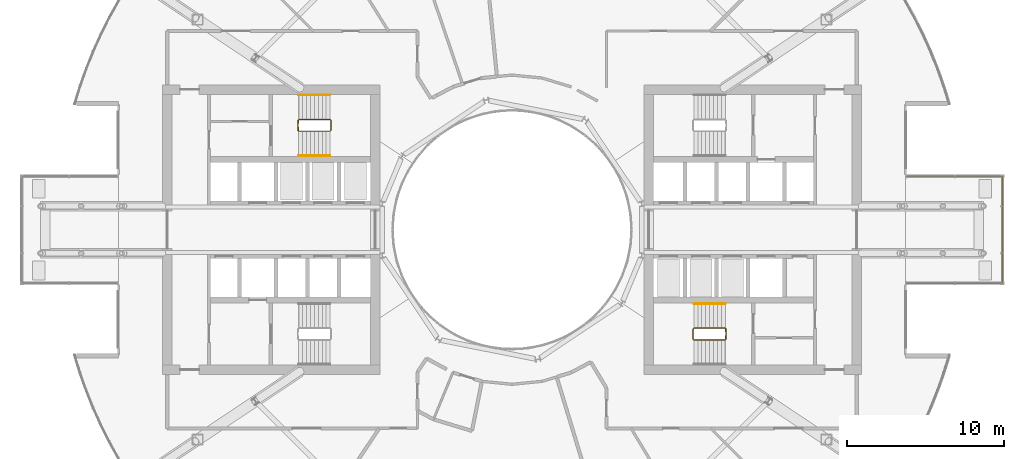
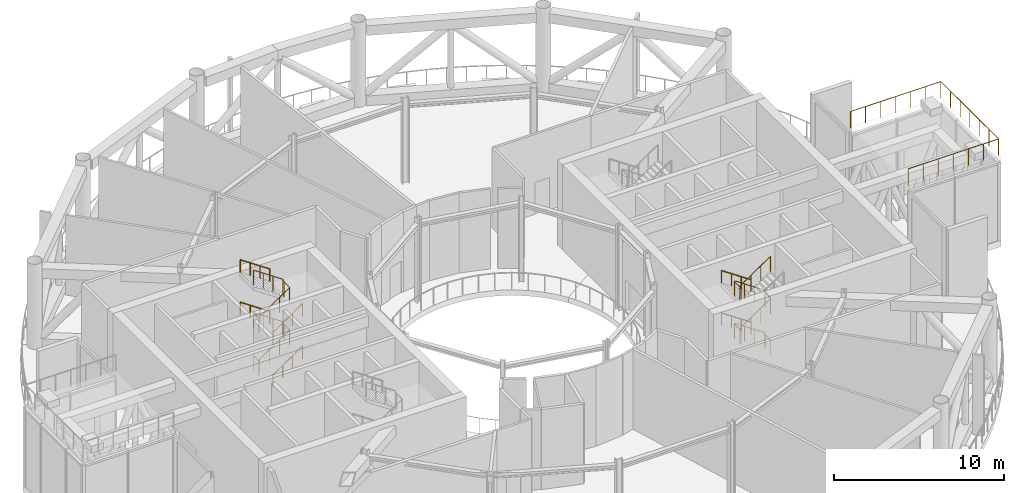
# One storey, part 22 of 25: 9 railings.
"""IFC4 building model written with IfcOpenShell, lengths in metres."""

from ifc_helpers import new_model, si_unit, direction, frame, origin, origin_2d, place, context, subcontext, project, spatial, circle, extrude, material, type_object, element, save


model = new_model("IFC4")

# Units and contexts
model_context = context("Model", 3, precision=1e-05, world=origin(), true_north=direction((0.0, 1.0)))
body_context = subcontext(model_context, "Body", "Model", "MODEL_VIEW")
ifc_project = project(units=[si_unit("LENGTHUNIT", "METRE"), si_unit("AREAUNIT", "SQUARE_METRE"), si_unit("VOLUMEUNIT", "CUBIC_METRE"), si_unit("PLANEANGLEUNIT", "RADIAN"), si_unit("MASSUNIT", "GRAM", prefix="KILO")], contexts=[model_context])

# Site, building, storey
site_placement = place(None, origin())
site = spatial("IfcSite", under=ifc_project, at=site_placement, CompositionType="ELEMENT")
building_placement = place(site_placement, origin())
building = spatial("IfcBuilding", under=site, at=building_placement, Name="Maasbend Ring Residences", CompositionType="ELEMENT")
storey_placement = place(building_placement, frame((0.0, 0.0, 139.10009765625)))
storey = spatial("IfcBuildingStorey", under=building, at=storey_placement, Name="L40", CompositionType="ELEMENT", Elevation=139.10009765625)

# Railings
ifc_material_1 = material(Name="Stainless steel 316 and glass", Category="steel")
railing_type_1 = type_object("IfcRailingType", Name="RL-GUARD", PredefinedType="GUARDRAIL", material=ifc_material_1)
railing_1_placement = place(storey_placement, frame((25.0, -3.39990234375, 6.099853515625)))
element("IfcRailing", 1, at=railing_1_placement, inside=storey, type_object=railing_type_1, Name="Roof terrace guard", PredefinedType="GUARDRAIL", context=body_context, shape_type="SweptSolid", body=[
    extrude(circle(Radius=0.02490234375, at=origin_2d()), frame((0.0, 0.0, 1.1748046875), z_axis=(1.0, 0.0, 0.0), x_axis=(0.0, 1.0, 0.0)), (0.0, 0.0, 1.0), 6.14990234375),
    extrude(circle(Radius=0.02490234375, at=origin_2d()), frame((6.14990234375, 0.0, 1.1748046875), z_axis=(0.0, 1.0, 0.0), x_axis=(-1.0, 0.0, 0.0)), (0.0, 0.0, 1.0), 6.7998046875),
    extrude(circle(Radius=0.02490234375, at=origin_2d()), frame((6.14990234375, 6.7998046875, 1.1748046875), z_axis=(-1.0, 0.0, 0.0), x_axis=(0.0, -1.0, 0.0)), (0.0, 0.0, 1.0), 6.14990234375),
    extrude(circle(Radius=0.02001953125, at=origin_2d()), origin(), (0.0, 0.0, 1.0), 1.14990234375),
    extrude(circle(Radius=0.02001953125, at=origin_2d()), frame((1.02490234375, 0.0, 0.0)), (0.0, 0.0, 1.0), 1.14990234375),
    extrude(circle(Radius=0.02001953125, at=origin_2d()), frame((2.050048828125, 0.0, 0.0)), (0.0, 0.0, 1.0), 1.14990234375),
    extrude(circle(Radius=0.02001953125, at=origin_2d()), frame((3.074951171875, 0.0, 0.0)), (0.0, 0.0, 1.0), 1.14990234375),
    extrude(circle(Radius=0.02001953125, at=origin_2d()), frame((4.099853515625, 0.0, 0.0)), (0.0, 0.0, 1.0), 1.14990234375),
    extrude(circle(Radius=0.02001953125, at=origin_2d()), frame((5.125, 0.0, 0.0)), (0.0, 0.0, 1.0), 1.14990234375),
    extrude(circle(Radius=0.02001953125, at=origin_2d()), frame((6.14990234375, 0.0, 0.0)), (0.0, 0.0, 1.0), 1.14990234375),
    extrude(circle(Radius=0.02001953125, at=origin_2d()), frame((6.14990234375, 1.13330078125, 0.0)), (0.0, 0.0, 1.0), 1.14990234375),
    extrude(circle(Radius=0.02001953125, at=origin_2d()), frame((6.14990234375, 2.2666015625, 0.0)), (0.0, 0.0, 1.0), 1.14990234375),
    extrude(circle(Radius=0.02001953125, at=origin_2d()), frame((6.14990234375, 3.39990234375, 0.0)), (0.0, 0.0, 1.0), 1.14990234375),
    extrude(circle(Radius=0.02001953125, at=origin_2d()), frame((6.14990234375, 4.533203125, 0.0)), (0.0, 0.0, 1.0), 1.14990234375),
    extrude(circle(Radius=0.02001953125, at=origin_2d()), frame((6.14990234375, 5.66650390625, 0.0)), (0.0, 0.0, 1.0), 1.14990234375),
    extrude(circle(Radius=0.02001953125, at=origin_2d()), frame((6.14990234375, 6.7998046875, 0.0)), (0.0, 0.0, 1.0), 1.14990234375),
    extrude(circle(Radius=0.02001953125, at=origin_2d()), frame((5.125, 6.7998046875, 0.0)), (0.0, 0.0, 1.0), 1.14990234375),
    extrude(circle(Radius=0.02001953125, at=origin_2d()), frame((4.099853515625, 6.7998046875, 0.0)), (0.0, 0.0, 1.0), 1.14990234375),
    extrude(circle(Radius=0.02001953125, at=origin_2d()), frame((3.074951171875, 6.7998046875, 0.0)), (0.0, 0.0, 1.0), 1.14990234375),
    extrude(circle(Radius=0.02001953125, at=origin_2d()), frame((2.050048828125, 6.7998046875, 0.0)), (0.0, 0.0, 1.0), 1.14990234375),
    extrude(circle(Radius=0.02001953125, at=origin_2d()), frame((1.02490234375, 6.7998046875, 0.0)), (0.0, 0.0, 1.0), 1.14990234375),
    extrude(circle(Radius=0.02001953125, at=origin_2d()), frame((0.0, 6.7998046875, 0.0)), (0.0, 0.0, 1.0), 1.14990234375),
])
ifc_material_2 = material(Name="Stainless steel 316", Category="steel")
railing_type_2 = type_object("IfcRailingType", Name="STAIR GUARD 1100", PredefinedType="GUARDRAIL", material=ifc_material_2)
railing_2_placement = place(storey_placement, frame((13.60009765625, -6.949951171875, 0.0)))
element("IfcRailing", 2, at=railing_2_placement, inside=storey, type_object=railing_type_2, Name="L40 ST-E2 stair guard 1", PredefinedType="GUARDRAIL", context=body_context, shape_type="SweptSolid", body=[
    extrude(circle(Radius=0.02392578125, at=origin_2d()), frame((0.0, 0.0, 1.076171875), z_axis=(0.0, 1.0, 0.0), x_axis=(-1.0, 0.0, 0.0)), (0.0, 0.0, 1.0), 0.64990234375),
    extrude(circle(Radius=0.02392578125, at=origin_2d()), frame((0.0, 0.64990234375, 1.076171875), z_axis=(-0.272562526181, 0.272562526181, 0.92272386912), x_axis=(-0.707106781187, -0.707106781187, 0.0)), (0.0, 0.0, 1.0), 0.18359375),
    extrude(circle(Radius=0.02392578125, at=origin_2d()), frame((-0.050048828125, 0.699951171875, 1.24560546875), z_axis=(-0.827797584762, 0.0, 0.561026878735), x_axis=(0.0, -1.0, 0.0)), (0.0, 0.0, 1.0), 2.416015625),
    extrude(circle(Radius=0.02392578125, at=origin_2d()), frame((-2.050048828125, 0.699951171875, 2.60107421875), z_axis=(-0.707106781187, -0.707106781187, 0.0), x_axis=(0.707106781187, -0.707106781187, 0.0)), (0.0, 0.0, 1.0), 0.07080078125),
    extrude(circle(Radius=0.02392578125, at=origin_2d()), frame((-2.10009765625, 0.64990234375, 2.60107421875), z_axis=(0.0, -1.0, 0.0), x_axis=(1.0, 0.0, 0.0)), (0.0, 0.0, 1.0), 0.64990234375),
    extrude(circle(Radius=0.02392578125, at=origin_2d()), frame((-2.10009765625, 0.0, 2.60107421875), z_axis=(0.272562526181, -0.272562526181, 0.92272386912), x_axis=(0.707106781187, 0.707106781187, 0.0)), (0.0, 0.0, 1.0), 0.18359375),
    extrude(circle(Radius=0.02392578125, at=origin_2d()), frame((-2.050048828125, -0.050048828125, 2.7705078125), z_axis=(0.827797584762, 0.0, 0.561026878735), x_axis=(0.0, 1.0, 0.0)), (0.0, 0.0, 1.0), 2.416015625),
    extrude(circle(Radius=0.02392578125, at=origin_2d()), frame((-0.050048828125, -0.050048828125, 4.1259765625), z_axis=(0.071321223157, 0.997453398975, 0.0), x_axis=(-0.997453398975, 0.071321223157, 0.0)), (0.0, 0.0, 1.0), 0.70166015625),
    extrude(circle(Radius=0.02392578125, at=origin_2d()), frame((0.0, 0.64990234375, 4.1259765625), z_axis=(0.0, -1.0, 0.0), x_axis=(1.0, 0.0, 0.0)), (0.0, 0.0, 1.0), 0.64990234375),
    extrude(circle(Radius=0.02392578125, at=origin_2d()), frame((0.0, 0.0, 4.1259765625), z_axis=(-0.069328998915, 0.969591414091, 0.234704025594), x_axis=(-0.997453398975, -0.071321223157, 0.0)), (0.0, 0.0, 1.0), 0.721923828125),
    extrude(circle(Radius=0.02392578125, at=origin_2d()), frame((-0.050048828125, 0.699951171875, 4.29541015625), z_axis=(-0.827750655447, 0.0, 0.561096116906), x_axis=(0.0, -1.0, 0.0)), (0.0, 0.0, 1.0), 2.416259765625),
    extrude(circle(Radius=0.02392578125, at=origin_2d()), frame((-2.050048828125, 0.699951171875, 5.65087890625), z_axis=(-0.707106781187, -0.707106781187, 0.0), x_axis=(0.707106781187, -0.707106781187, 0.0)), (0.0, 0.0, 1.0), 0.07080078125),
    extrude(circle(Radius=0.02392578125, at=origin_2d()), frame((-2.10009765625, 0.64990234375, 5.65087890625), z_axis=(0.0, -1.0, 0.0), x_axis=(1.0, 0.0, 0.0)), (0.0, 0.0, 1.0), 0.64990234375),
    extrude(circle(Radius=0.02392578125, at=origin_2d()), frame((-2.10009765625, 0.0, 5.65087890625), z_axis=(0.272562526181, -0.272562526181, 0.92272386912), x_axis=(0.707106781187, 0.707106781187, 0.0)), (0.0, 0.0, 1.0), 0.18359375),
    extrude(circle(Radius=0.02392578125, at=origin_2d()), frame((-2.050048828125, -0.050048828125, 5.8203125), z_axis=(0.827797584762, 0.0, 0.561026878735), x_axis=(0.0, 1.0, 0.0)), (0.0, 0.0, 1.0), 2.416015625),
    extrude(circle(Radius=0.02099609375, at=origin_2d()), origin(), (0.0, 0.0, 1.0), 1.052001953125),
    extrude(circle(Radius=0.02099609375, at=origin_2d()), frame((0.0, 0.64990234375, 0.0)), (0.0, 0.0, 1.0), 1.052001953125),
    extrude(circle(Radius=0.02099609375, at=origin_2d()), frame((-0.050048828125, 0.699951171875, 0.16943359375)), (0.0, 0.0, 1.0), 1.052001953125),
    extrude(circle(Radius=0.02099609375, at=origin_2d()), frame((-0.716796875, 0.699951171875, 0.621337890625)), (0.0, 0.0, 1.0), 1.052001953125),
    extrude(circle(Radius=0.02099609375, at=origin_2d()), frame((-1.38330078125, 0.699951171875, 1.072998046875)), (0.0, 0.0, 1.0), 1.052001953125),
    extrude(circle(Radius=0.02099609375, at=origin_2d()), frame((-2.050048828125, 0.699951171875, 1.52490234375)), (0.0, 0.0, 1.0), 1.052001953125),
    extrude(circle(Radius=0.02099609375, at=origin_2d()), frame((-2.10009765625, 0.64990234375, 1.52490234375)), (0.0, 0.0, 1.0), 1.052001953125),
    extrude(circle(Radius=0.02099609375, at=origin_2d()), frame((-2.10009765625, 0.0, 1.52490234375)), (0.0, 0.0, 1.0), 1.052001953125),
    extrude(circle(Radius=0.02099609375, at=origin_2d()), frame((-2.050048828125, -0.050048828125, 1.6943359375)), (0.0, 0.0, 1.0), 1.052001953125),
    extrude(circle(Radius=0.02099609375, at=origin_2d()), frame((-1.38330078125, -0.050048828125, 2.146240234375)), (0.0, 0.0, 1.0), 1.052001953125),
    extrude(circle(Radius=0.02099609375, at=origin_2d()), frame((-0.716796875, -0.050048828125, 2.597900390625)), (0.0, 0.0, 1.0), 1.052001953125),
    extrude(circle(Radius=0.02099609375, at=origin_2d()), frame((-0.050048828125, -0.050048828125, 3.0498046875)), (0.0, 0.0, 1.0), 1.052001953125),
    extrude(circle(Radius=0.02099609375, at=origin_2d()), frame((0.0, 0.64990234375, 3.0498046875)), (0.0, 0.0, 1.0), 1.052001953125),
    extrude(circle(Radius=0.02099609375, at=origin_2d()), frame((0.0, 0.0, 3.0498046875)), (0.0, 0.0, 1.0), 1.052001953125),
    extrude(circle(Radius=0.02099609375, at=origin_2d()), frame((-0.050048828125, 0.699951171875, 3.21923828125)), (0.0, 0.0, 1.0), 1.052001953125),
    extrude(circle(Radius=0.02099609375, at=origin_2d()), frame((-0.716796875, 0.699951171875, 3.671142578125)), (0.0, 0.0, 1.0), 1.052001953125),
    extrude(circle(Radius=0.02099609375, at=origin_2d()), frame((-1.38330078125, 0.699951171875, 4.123046875)), (0.0, 0.0, 1.0), 1.052001953125),
    extrude(circle(Radius=0.02099609375, at=origin_2d()), frame((-2.050048828125, 0.699951171875, 4.574951171875)), (0.0, 0.0, 1.0), 1.052001953125),
    extrude(circle(Radius=0.02099609375, at=origin_2d()), frame((-2.10009765625, 0.64990234375, 4.574951171875)), (0.0, 0.0, 1.0), 1.052001953125),
    extrude(circle(Radius=0.02099609375, at=origin_2d()), frame((-2.10009765625, 0.0, 4.574951171875)), (0.0, 0.0, 1.0), 1.052001953125),
    extrude(circle(Radius=0.02099609375, at=origin_2d()), frame((-2.050048828125, -0.050048828125, 4.744384765625)), (0.0, 0.0, 1.0), 1.052001953125),
    extrude(circle(Radius=0.02099609375, at=origin_2d()), frame((-1.38330078125, -0.050048828125, 5.1962890625)), (0.0, 0.0, 1.0), 1.052001953125),
    extrude(circle(Radius=0.02099609375, at=origin_2d()), frame((-0.716796875, -0.050048828125, 5.64794921875)), (0.0, 0.0, 1.0), 1.052001953125),
    extrude(circle(Radius=0.02099609375, at=origin_2d()), frame((-0.050048828125, -0.050048828125, 6.099853515625)), (0.0, 0.0, 1.0), 1.052001953125),
])
railing_3_placement = place(storey_placement, frame((-13.60009765625, 6.949951171875, 0.0)))
element("IfcRailing", 3, at=railing_3_placement, inside=storey, type_object=railing_type_2, Name="L40 ST-W2 stair guard 1", PredefinedType="GUARDRAIL", context=body_context, shape_type="SweptSolid", body=[
    extrude(circle(Radius=0.02392578125, at=origin_2d()), frame((0.0, 0.0, 1.076171875), z_axis=(0.0, -1.0, 0.0), x_axis=(1.0, 0.0, 0.0)), (0.0, 0.0, 1.0), 0.64990234375),
    extrude(circle(Radius=0.02392578125, at=origin_2d()), frame((0.0, -0.64990234375, 1.076171875), z_axis=(0.272562526181, -0.272562526181, 0.92272386912), x_axis=(0.707106781187, 0.707106781187, 0.0)), (0.0, 0.0, 1.0), 0.18359375),
    extrude(circle(Radius=0.02392578125, at=origin_2d()), frame((0.050048828125, -0.699951171875, 1.24560546875), z_axis=(0.827797584762, 0.0, 0.561026878735), x_axis=(0.0, 1.0, 0.0)), (0.0, 0.0, 1.0), 2.416015625),
    extrude(circle(Radius=0.02392578125, at=origin_2d()), frame((2.050048828125, -0.699951171875, 2.60107421875), z_axis=(0.707106781187, 0.707106781187, 0.0), x_axis=(-0.707106781187, 0.707106781187, 0.0)), (0.0, 0.0, 1.0), 0.07080078125),
    extrude(circle(Radius=0.02392578125, at=origin_2d()), frame((2.10009765625, -0.64990234375, 2.60107421875), z_axis=(0.0, 1.0, 0.0), x_axis=(-1.0, 0.0, 0.0)), (0.0, 0.0, 1.0), 0.64990234375),
    extrude(circle(Radius=0.02392578125, at=origin_2d()), frame((2.10009765625, 0.0, 2.60107421875), z_axis=(-0.272562526181, 0.272562526181, 0.92272386912), x_axis=(-0.707106781187, -0.707106781187, 0.0)), (0.0, 0.0, 1.0), 0.18359375),
    extrude(circle(Radius=0.02392578125, at=origin_2d()), frame((2.050048828125, 0.050048828125, 2.7705078125), z_axis=(-0.827797584762, 0.0, 0.561026878735), x_axis=(0.0, -1.0, 0.0)), (0.0, 0.0, 1.0), 2.416015625),
    extrude(circle(Radius=0.02392578125, at=origin_2d()), frame((0.050048828125, 0.050048828125, 4.1259765625), z_axis=(-0.071321223157, -0.997453398975, 0.0), x_axis=(0.997453398975, -0.071321223157, 0.0)), (0.0, 0.0, 1.0), 0.70166015625),
    extrude(circle(Radius=0.02392578125, at=origin_2d()), frame((0.0, -0.64990234375, 4.1259765625), z_axis=(0.0, 1.0, 0.0), x_axis=(-1.0, 0.0, 0.0)), (0.0, 0.0, 1.0), 0.64990234375),
    extrude(circle(Radius=0.02392578125, at=origin_2d()), frame((0.0, 0.0, 4.1259765625), z_axis=(0.069328998915, -0.969591414091, 0.234704025594), x_axis=(0.997453398975, 0.071321223157, 0.0)), (0.0, 0.0, 1.0), 0.721923828125),
    extrude(circle(Radius=0.02392578125, at=origin_2d()), frame((0.050048828125, -0.699951171875, 4.29541015625), z_axis=(0.827750655447, 0.0, 0.561096116906), x_axis=(0.0, 1.0, 0.0)), (0.0, 0.0, 1.0), 2.416259765625),
    extrude(circle(Radius=0.02392578125, at=origin_2d()), frame((2.050048828125, -0.699951171875, 5.65087890625), z_axis=(0.707106781187, 0.707106781187, 0.0), x_axis=(-0.707106781187, 0.707106781187, 0.0)), (0.0, 0.0, 1.0), 0.07080078125),
    extrude(circle(Radius=0.02392578125, at=origin_2d()), frame((2.10009765625, -0.64990234375, 5.65087890625), z_axis=(0.0, 1.0, 0.0), x_axis=(-1.0, 0.0, 0.0)), (0.0, 0.0, 1.0), 0.64990234375),
    extrude(circle(Radius=0.02392578125, at=origin_2d()), frame((2.10009765625, 0.0, 5.65087890625), z_axis=(-0.272562526181, 0.272562526181, 0.92272386912), x_axis=(-0.707106781187, -0.707106781187, 0.0)), (0.0, 0.0, 1.0), 0.18359375),
    extrude(circle(Radius=0.02392578125, at=origin_2d()), frame((2.050048828125, 0.050048828125, 5.8203125), z_axis=(-0.827797584762, 0.0, 0.561026878735), x_axis=(0.0, -1.0, 0.0)), (0.0, 0.0, 1.0), 2.416015625),
    extrude(circle(Radius=0.02099609375, at=origin_2d()), origin(), (0.0, 0.0, 1.0), 1.052001953125),
    extrude(circle(Radius=0.02099609375, at=origin_2d()), frame((0.0, -0.64990234375, 0.0)), (0.0, 0.0, 1.0), 1.052001953125),
    extrude(circle(Radius=0.02099609375, at=origin_2d()), frame((0.050048828125, -0.699951171875, 0.16943359375)), (0.0, 0.0, 1.0), 1.052001953125),
    extrude(circle(Radius=0.02099609375, at=origin_2d()), frame((0.716796875, -0.699951171875, 0.621337890625)), (0.0, 0.0, 1.0), 1.052001953125),
    extrude(circle(Radius=0.02099609375, at=origin_2d()), frame((1.38330078125, -0.699951171875, 1.072998046875)), (0.0, 0.0, 1.0), 1.052001953125),
    extrude(circle(Radius=0.02099609375, at=origin_2d()), frame((2.050048828125, -0.699951171875, 1.52490234375)), (0.0, 0.0, 1.0), 1.052001953125),
    extrude(circle(Radius=0.02099609375, at=origin_2d()), frame((2.10009765625, -0.64990234375, 1.52490234375)), (0.0, 0.0, 1.0), 1.052001953125),
    extrude(circle(Radius=0.02099609375, at=origin_2d()), frame((2.10009765625, 0.0, 1.52490234375)), (0.0, 0.0, 1.0), 1.052001953125),
    extrude(circle(Radius=0.02099609375, at=origin_2d()), frame((2.050048828125, 0.050048828125, 1.6943359375)), (0.0, 0.0, 1.0), 1.052001953125),
    extrude(circle(Radius=0.02099609375, at=origin_2d()), frame((1.38330078125, 0.050048828125, 2.146240234375)), (0.0, 0.0, 1.0), 1.052001953125),
    extrude(circle(Radius=0.02099609375, at=origin_2d()), frame((0.716796875, 0.050048828125, 2.597900390625)), (0.0, 0.0, 1.0), 1.052001953125),
    extrude(circle(Radius=0.02099609375, at=origin_2d()), frame((0.050048828125, 0.050048828125, 3.0498046875)), (0.0, 0.0, 1.0), 1.052001953125),
    extrude(circle(Radius=0.02099609375, at=origin_2d()), frame((0.0, -0.64990234375, 3.0498046875)), (0.0, 0.0, 1.0), 1.052001953125),
    extrude(circle(Radius=0.02099609375, at=origin_2d()), frame((0.0, 0.0, 3.0498046875)), (0.0, 0.0, 1.0), 1.052001953125),
    extrude(circle(Radius=0.02099609375, at=origin_2d()), frame((0.050048828125, -0.699951171875, 3.21923828125)), (0.0, 0.0, 1.0), 1.052001953125),
    extrude(circle(Radius=0.02099609375, at=origin_2d()), frame((0.716796875, -0.699951171875, 3.671142578125)), (0.0, 0.0, 1.0), 1.052001953125),
    extrude(circle(Radius=0.02099609375, at=origin_2d()), frame((1.38330078125, -0.699951171875, 4.123046875)), (0.0, 0.0, 1.0), 1.052001953125),
    extrude(circle(Radius=0.02099609375, at=origin_2d()), frame((2.050048828125, -0.699951171875, 4.574951171875)), (0.0, 0.0, 1.0), 1.052001953125),
    extrude(circle(Radius=0.02099609375, at=origin_2d()), frame((2.10009765625, -0.64990234375, 4.574951171875)), (0.0, 0.0, 1.0), 1.052001953125),
    extrude(circle(Radius=0.02099609375, at=origin_2d()), frame((2.10009765625, 0.0, 4.574951171875)), (0.0, 0.0, 1.0), 1.052001953125),
    extrude(circle(Radius=0.02099609375, at=origin_2d()), frame((2.050048828125, 0.050048828125, 4.744384765625)), (0.0, 0.0, 1.0), 1.052001953125),
    extrude(circle(Radius=0.02099609375, at=origin_2d()), frame((1.38330078125, 0.050048828125, 5.1962890625)), (0.0, 0.0, 1.0), 1.052001953125),
    extrude(circle(Radius=0.02099609375, at=origin_2d()), frame((0.716796875, 0.050048828125, 5.64794921875)), (0.0, 0.0, 1.0), 1.052001953125),
    extrude(circle(Radius=0.02099609375, at=origin_2d()), frame((0.050048828125, 0.050048828125, 6.099853515625)), (0.0, 0.0, 1.0), 1.052001953125),
])
ifc_material_3 = material(Name="Stainless steel 316", Category="steel")
railing_type_3 = type_object("IfcRailingType", Name="STAIR HANDRAIL 900", PredefinedType="HANDRAIL", material=ifc_material_3)
railing_4_placement = place(storey_placement, frame((13.550048828125, -4.699951171875, 0.16943359375)))
element("IfcRailing", 4, at=railing_4_placement, inside=storey, type_object=railing_type_3, Name="L40 ST-E2 stair handrail 1", PredefinedType="HANDRAIL", context=body_context, shape_type="SweptSolid", body=[
    extrude(circle(Radius=0.02392578125, at=origin_2d()), frame((0.0, 0.0, 0.8759765625), z_axis=(-0.827797584762, 0.0, 0.561026878735), x_axis=(0.0, -1.0, 0.0)), (0.0, 0.0, 1.0), 2.416015625),
    extrude(circle(Radius=0.02099609375, at=origin_2d()), origin(), (0.0, 0.0, 1.0), 0.851806640625),
    extrude(circle(Radius=0.02099609375, at=origin_2d()), frame((-0.666748046875, 0.0, 0.451904296875)), (0.0, 0.0, 1.0), 0.851806640625),
    extrude(circle(Radius=0.02099609375, at=origin_2d()), frame((-1.333251953125, 0.0, 0.903564453125)), (0.0, 0.0, 1.0), 0.851806640625),
    extrude(circle(Radius=0.02099609375, at=origin_2d()), frame((-2.0, 0.0, 1.35546875)), (0.0, 0.0, 1.0), 0.851806640625),
])
railing_5_placement = place(storey_placement, frame((13.550048828125, -4.699951171875, 3.21923828125)))
element("IfcRailing", 5, at=railing_5_placement, inside=storey, type_object=railing_type_3, Name="L40 ST-E2 stair handrail 3", PredefinedType="HANDRAIL", context=body_context, shape_type="SweptSolid", body=[
    extrude(circle(Radius=0.02392578125, at=origin_2d()), frame((0.0, 0.0, 0.8759765625), z_axis=(-0.827750655447, 0.0, 0.561096116906), x_axis=(0.0, -1.0, 0.0)), (0.0, 0.0, 1.0), 2.416259765625),
    extrude(circle(Radius=0.02099609375, at=origin_2d()), origin(), (0.0, 0.0, 1.0), 0.851806640625),
    extrude(circle(Radius=0.02099609375, at=origin_2d()), frame((-0.666748046875, 0.0, 0.451904296875)), (0.0, 0.0, 1.0), 0.851806640625),
    extrude(circle(Radius=0.02099609375, at=origin_2d()), frame((-1.333251953125, 0.0, 0.90380859375)), (0.0, 0.0, 1.0), 0.851806640625),
    extrude(circle(Radius=0.02099609375, at=origin_2d()), frame((-2.0, 0.0, 1.355712890625)), (0.0, 0.0, 1.0), 0.851806640625),
])
railing_6_placement = place(storey_placement, frame((-13.550048828125, 4.699951171875, 0.16943359375)))
element("IfcRailing", 6, at=railing_6_placement, inside=storey, type_object=railing_type_3, Name="L40 ST-W2 stair handrail 1", PredefinedType="HANDRAIL", context=body_context, shape_type="SweptSolid", body=[
    extrude(circle(Radius=0.02392578125, at=origin_2d()), frame((0.0, 0.0, 0.8759765625), z_axis=(0.827797584762, 0.0, 0.561026878735), x_axis=(0.0, 1.0, 0.0)), (0.0, 0.0, 1.0), 2.416015625),
    extrude(circle(Radius=0.02099609375, at=origin_2d()), origin(), (0.0, 0.0, 1.0), 0.851806640625),
    extrude(circle(Radius=0.02099609375, at=origin_2d()), frame((0.666748046875, 0.0, 0.451904296875)), (0.0, 0.0, 1.0), 0.851806640625),
    extrude(circle(Radius=0.02099609375, at=origin_2d()), frame((1.333251953125, 0.0, 0.903564453125)), (0.0, 0.0, 1.0), 0.851806640625),
    extrude(circle(Radius=0.02099609375, at=origin_2d()), frame((2.0, 0.0, 1.35546875)), (0.0, 0.0, 1.0), 0.851806640625),
])
railing_7_placement = place(storey_placement, frame((-11.550048828125, 8.550048828125, 1.6943359375)))
element("IfcRailing", 7, at=railing_7_placement, inside=storey, type_object=railing_type_3, Name="L40 ST-W2 stair handrail 2", PredefinedType="HANDRAIL", context=body_context, shape_type="SweptSolid", body=[
    extrude(circle(Radius=0.02392578125, at=origin_2d()), frame((0.0, 0.0, 0.8759765625), z_axis=(-0.827797584762, 0.0, 0.561026878735), x_axis=(0.0, -1.0, 0.0)), (0.0, 0.0, 1.0), 2.416015625),
    extrude(circle(Radius=0.02099609375, at=origin_2d()), origin(), (0.0, 0.0, 1.0), 0.851806640625),
    extrude(circle(Radius=0.02099609375, at=origin_2d()), frame((-0.666748046875, 0.0, 0.451904296875)), (0.0, 0.0, 1.0), 0.851806640625),
    extrude(circle(Radius=0.02099609375, at=origin_2d()), frame((-1.333251953125, 0.0, 0.903564453125)), (0.0, 0.0, 1.0), 0.851806640625),
    extrude(circle(Radius=0.02099609375, at=origin_2d()), frame((-2.0, 0.0, 1.35546875)), (0.0, 0.0, 1.0), 0.851806640625),
])
railing_8_placement = place(storey_placement, frame((-13.550048828125, 4.699951171875, 3.21923828125)))
element("IfcRailing", 8, at=railing_8_placement, inside=storey, type_object=railing_type_3, Name="L40 ST-W2 stair handrail 3", PredefinedType="HANDRAIL", context=body_context, shape_type="SweptSolid", body=[
    extrude(circle(Radius=0.02392578125, at=origin_2d()), frame((0.0, 0.0, 0.8759765625), z_axis=(0.827750655447, 0.0, 0.561096116906), x_axis=(0.0, 1.0, 0.0)), (0.0, 0.0, 1.0), 2.416259765625),
    extrude(circle(Radius=0.02099609375, at=origin_2d()), origin(), (0.0, 0.0, 1.0), 0.851806640625),
    extrude(circle(Radius=0.02099609375, at=origin_2d()), frame((0.666748046875, 0.0, 0.451904296875)), (0.0, 0.0, 1.0), 0.851806640625),
    extrude(circle(Radius=0.02099609375, at=origin_2d()), frame((1.333251953125, 0.0, 0.90380859375)), (0.0, 0.0, 1.0), 0.851806640625),
    extrude(circle(Radius=0.02099609375, at=origin_2d()), frame((2.0, 0.0, 1.355712890625)), (0.0, 0.0, 1.0), 0.851806640625),
])
railing_9_placement = place(storey_placement, frame((-11.550048828125, 8.550048828125, 4.744384765625)))
element("IfcRailing", 9, at=railing_9_placement, inside=storey, type_object=railing_type_3, Name="L40 ST-W2 stair handrail 4", PredefinedType="HANDRAIL", context=body_context, shape_type="SweptSolid", body=[
    extrude(circle(Radius=0.02392578125, at=origin_2d()), frame((0.0, 0.0, 0.8759765625), z_axis=(-0.827797584762, 0.0, 0.561026878735), x_axis=(0.0, -1.0, 0.0)), (0.0, 0.0, 1.0), 2.416015625),
    extrude(circle(Radius=0.02099609375, at=origin_2d()), origin(), (0.0, 0.0, 1.0), 0.851806640625),
    extrude(circle(Radius=0.02099609375, at=origin_2d()), frame((-0.666748046875, 0.0, 0.451904296875)), (0.0, 0.0, 1.0), 0.851806640625),
    extrude(circle(Radius=0.02099609375, at=origin_2d()), frame((-1.333251953125, 0.0, 0.903564453125)), (0.0, 0.0, 1.0), 0.851806640625),
    extrude(circle(Radius=0.02099609375, at=origin_2d()), frame((-2.0, 0.0, 1.35546875)), (0.0, 0.0, 1.0), 0.851806640625),
])

save(model, "model.ifc")
